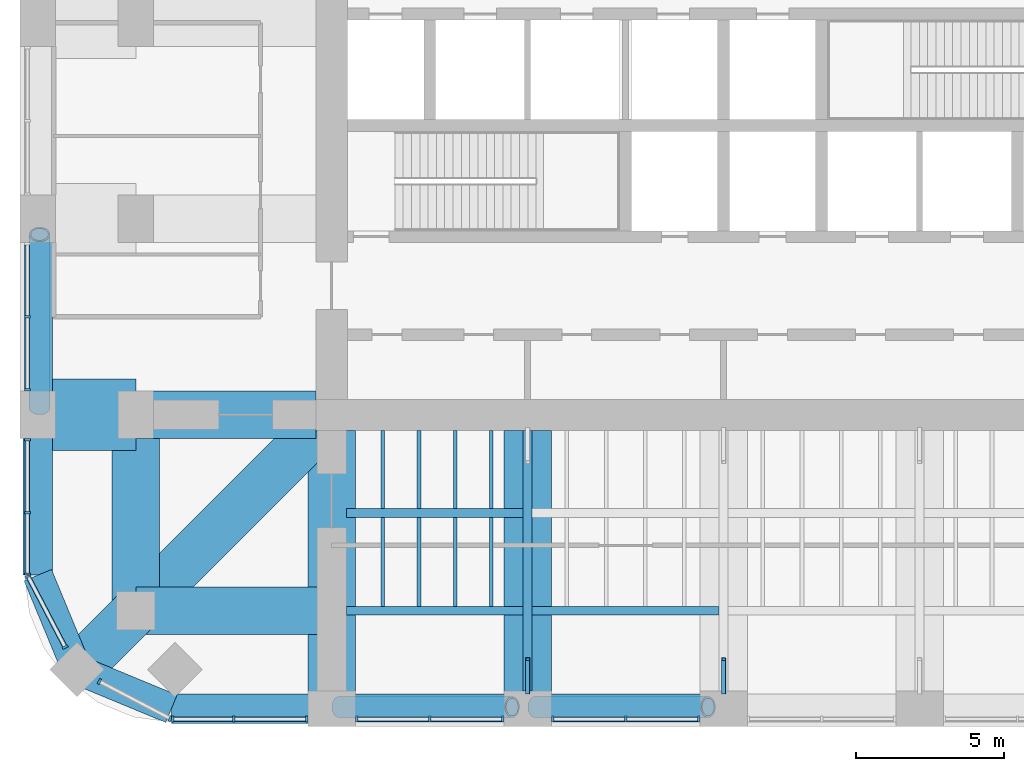
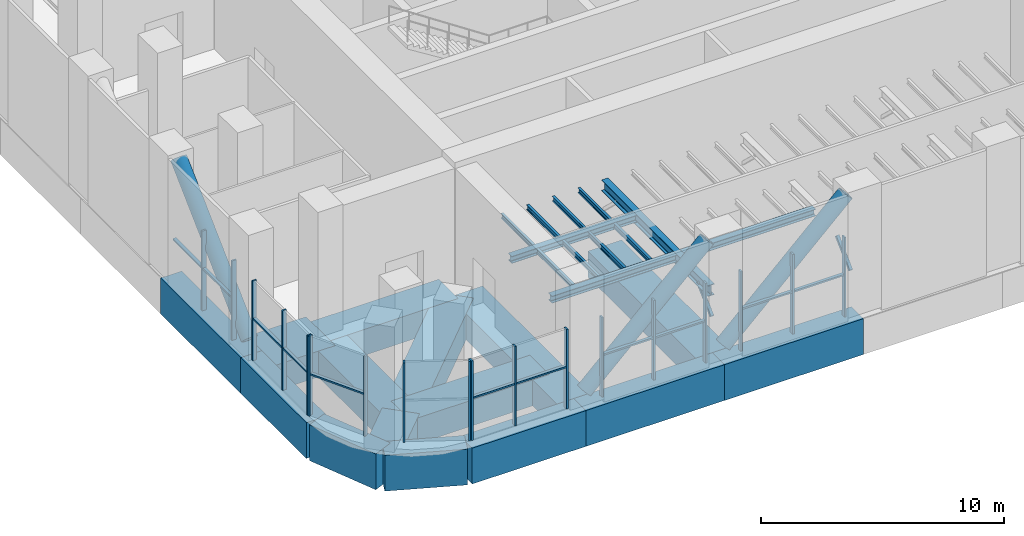
# One storey, part 2 of 15: 34 members, 27 beams, 7 elements without a shape of their own.
"""IFC4 building model written with IfcOpenShell, lengths in metres."""

from ifc_helpers import new_model, si_unit, direction, frame, origin, origin_2d, place, context, subcontext, project, spatial, rectangle, hollow_rectangle, hollow_circle, i_section, extrude, material, material_profile, profile_set, type_object, element, aggregate, save


model = new_model("IFC4")

# Units and contexts
model_context = context("Model", 3, precision=1e-05, world=origin(), true_north=direction((0.0, 1.0)))
body_context = subcontext(model_context, "Body", "Model", "MODEL_VIEW")
ifc_project = project(units=[si_unit("LENGTHUNIT", "METRE"), si_unit("AREAUNIT", "SQUARE_METRE"), si_unit("VOLUMEUNIT", "CUBIC_METRE"), si_unit("PLANEANGLEUNIT", "RADIAN"), si_unit("MASSUNIT", "GRAM", prefix="KILO")], contexts=[model_context])

# Site, building, storey
site_placement = place(None, origin())
site = spatial("IfcSite", under=ifc_project, at=site_placement, CompositionType="ELEMENT")
building_placement = place(site_placement, origin())
building = spatial("IfcBuilding", under=site, at=building_placement, Name="Cobogo Forest Laboratory Tower", CompositionType="ELEMENT")
storey_placement = place(building_placement, frame((0.0, 0.0, 222.89990234375)))
storey = spatial("IfcBuildingStorey", under=building, at=storey_placement, Name="L51", CompositionType="ELEMENT", Elevation=222.89990234375)

# Members
ifc_material_1 = material(Name="Steel S460NH", Category="steel")
ifc_material_profile_1 = material_profile(ifc_material_1, hollow_circle(Radius=0.35546875, WallThickness=0.06005859375, at=origin_2d()), Name="CHS 711x60")
ifc_profile_set_1 = profile_set([ifc_material_profile_1], Name="Steel S460NH")
member_type_1 = type_object("IfcMemberType", Name="Belt truss diagonal CHS 711x60", PredefinedType="BRACE", material=ifc_profile_set_1)
for number, where, z_axis, x_axis, name in (
    (1, (13.449951171875, 3.360107421875, 0.23876953125), (0.723363796511, 0.0, 0.690467101242), (0.0, 1.0, 0.0), "BT1 belt truss diagonal S01 L51"),
    (2, (20.050048828125, 3.360107421875, 0.23876953125), (0.723349354665, 0.0, 0.69048223084), (0.0, 1.0, 0.0), "BT1 belt truss diagonal S02 L51"),
    (3, (3.360107421875, 13.449951171875, 0.23876953125), (0.0, 0.723363796511, 0.690467101242), (-1.0, 0.0, 0.0), "BT1 belt truss diagonal W13 L51"),
):
    element("IfcMember", number, at=place(storey_placement, frame(where, z_axis=z_axis, x_axis=x_axis)), inside=storey, type_object=member_type_1, Name=name, PredefinedType="BRACE", context=body_context, shape_type="SweptSolid", body=[
        extrude(hollow_circle(Radius=0.35546875, WallThickness=0.06005859375, at=origin_2d()), origin(), (0.0, 0.0, 1.0), 8.0595703125),
    ])

# Curtain wall, members
ifc_material_2 = material(Name="Aluminium curtain wall", Category="aluminium")
curtain_wall_type = type_object("IfcCurtainWallType", Name="CW-P louvred curtain wall, plant floors", PredefinedType="USERDEFINED", material=ifc_material_2)
curtain_wall_1_placement = place(storey_placement, origin())
curtain_wall_1 = element("IfcCurtainWall", 4, at=curtain_wall_1_placement, inside=storey, type_object=curtain_wall_type, Name="Curtain wall 01 L51", ObjectType="LOUVRED CURTAIN WALL", PredefinedType="USERDEFINED")
ifc_material_3 = material(Name="Aluminium mullion", Category="aluminium")
ifc_material_profile_2 = material_profile(ifc_material_3, rectangle(XDim=0.080078125, YDim=0.199951171875, at=origin_2d()), Name="AL 80x200")
ifc_profile_set_2 = profile_set([ifc_material_profile_2], Name="Aluminium mullion")
member_type_2 = type_object("IfcMemberType", Name="MU-3 aluminium louvre mullion 80x200", PredefinedType="MULLION", material=ifc_profile_set_2)
member_1_placement = place(storey_placement, frame((7.840087890625, 2.949951171875, 0.0), z_axis=(0.0, 0.0, 1.0), x_axis=(1.0, 0.0, 0.0)))
member_1 = element("IfcMember", 5, at=member_1_placement, type_object=member_type_2, Name="CW-P mullion 1", PredefinedType="MULLION", context=body_context, shape_type="SweptSolid", body=[
    extrude(rectangle(XDim=0.080078125, YDim=0.199951171875, at=origin_2d()), origin(), (0.0, 0.0, 1.0), 4.0),
])
member_2_placement = place(storey_placement, frame((9.89990234375, 2.949951171875, 0.0), z_axis=(0.0, 0.0, 1.0), x_axis=(1.0, 0.0, 0.0)))
member_2 = element("IfcMember", 6, at=member_2_placement, type_object=member_type_2, Name="CW-P mullion 2", PredefinedType="MULLION", context=body_context, shape_type="SweptSolid", body=[
    extrude(rectangle(XDim=0.080078125, YDim=0.199951171875, at=origin_2d()), origin(), (0.0, 0.0, 1.0), 4.0),
])
member_3_placement = place(storey_placement, frame((12.360107421875, 2.949951171875, 0.0), z_axis=(0.0, 0.0, 1.0), x_axis=(1.0, 0.0, 0.0)))
member_3 = element("IfcMember", 7, at=member_3_placement, type_object=member_type_2, Name="CW-P mullion 3", PredefinedType="MULLION", context=body_context, shape_type="SweptSolid", body=[
    extrude(rectangle(XDim=0.080078125, YDim=0.199951171875, at=origin_2d()), origin(), (0.0, 0.0, 1.0), 4.0),
])

curtain_wall_2_placement = place(storey_placement, origin())
curtain_wall_2 = element("IfcCurtainWall", 8, at=curtain_wall_2_placement, inside=storey, type_object=curtain_wall_type, Name="Curtain wall 02 L51", ObjectType="LOUVRED CURTAIN WALL", PredefinedType="USERDEFINED")
member_4_placement = place(storey_placement, frame((14.0400390625, 2.949951171875, 0.0), z_axis=(0.0, 0.0, 1.0), x_axis=(1.0, 0.0, 0.0)))
member_4 = element("IfcMember", 9, at=member_4_placement, type_object=member_type_2, Name="CW-P mullion 1", PredefinedType="MULLION", context=body_context, shape_type="SweptSolid", body=[
    extrude(rectangle(XDim=0.080078125, YDim=0.199951171875, at=origin_2d()), origin(), (0.0, 0.0, 1.0), 4.0),
])
member_5_placement = place(storey_placement, frame((16.5, 2.949951171875, 0.0), z_axis=(0.0, 0.0, 1.0), x_axis=(1.0, 0.0, 0.0)))
member_5 = element("IfcMember", 10, at=member_5_placement, type_object=member_type_2, Name="CW-P mullion 2", PredefinedType="MULLION", context=body_context, shape_type="SweptSolid", body=[
    extrude(rectangle(XDim=0.080078125, YDim=0.199951171875, at=origin_2d()), origin(), (0.0, 0.0, 1.0), 4.0),
])
member_6_placement = place(storey_placement, frame((18.9599609375, 2.949951171875, 0.0), z_axis=(0.0, 0.0, 1.0), x_axis=(1.0, 0.0, 0.0)))
member_6 = element("IfcMember", 11, at=member_6_placement, type_object=member_type_2, Name="CW-P mullion 3", PredefinedType="MULLION", context=body_context, shape_type="SweptSolid", body=[
    extrude(rectangle(XDim=0.080078125, YDim=0.199951171875, at=origin_2d()), origin(), (0.0, 0.0, 1.0), 4.0),
])

curtain_wall_3_placement = place(storey_placement, origin())
curtain_wall_3 = element("IfcCurtainWall", 12, at=curtain_wall_3_placement, inside=storey, type_object=curtain_wall_type, Name="Curtain wall 03 L51", ObjectType="LOUVRED CURTAIN WALL", PredefinedType="USERDEFINED")
member_7_placement = place(storey_placement, frame((20.639892578125, 2.949951171875, 0.0), z_axis=(0.0, 0.0, 1.0), x_axis=(1.0, 0.0, 0.0)))
member_7 = element("IfcMember", 13, at=member_7_placement, type_object=member_type_2, Name="CW-P mullion 1", PredefinedType="MULLION", context=body_context, shape_type="SweptSolid", body=[
    extrude(rectangle(XDim=0.080078125, YDim=0.199951171875, at=origin_2d()), origin(), (0.0, 0.0, 1.0), 4.0),
])
member_8_placement = place(storey_placement, frame((23.10009765625, 2.949951171875, 0.0), z_axis=(0.0, 0.0, 1.0), x_axis=(1.0, 0.0, 0.0)))
member_8 = element("IfcMember", 14, at=member_8_placement, type_object=member_type_2, Name="CW-P mullion 2", PredefinedType="MULLION", context=body_context, shape_type="SweptSolid", body=[
    extrude(rectangle(XDim=0.080078125, YDim=0.199951171875, at=origin_2d()), origin(), (0.0, 0.0, 1.0), 4.0),
])
member_9_placement = place(storey_placement, frame((25.56005859375, 2.949951171875, 0.0), z_axis=(0.0, 0.0, 1.0), x_axis=(1.0, 0.0, 0.0)))
member_9 = element("IfcMember", 15, at=member_9_placement, type_object=member_type_2, Name="CW-P mullion 3", PredefinedType="MULLION", context=body_context, shape_type="SweptSolid", body=[
    extrude(rectangle(XDim=0.080078125, YDim=0.199951171875, at=origin_2d()), origin(), (0.0, 0.0, 1.0), 4.0),
])

curtain_wall_4_placement = place(storey_placement, origin())
curtain_wall_4 = element("IfcCurtainWall", 16, at=curtain_wall_4_placement, inside=storey, type_object=curtain_wall_type, Name="Curtain wall 27 L51", ObjectType="LOUVRED CURTAIN WALL", PredefinedType="USERDEFINED")
member_10_placement = place(storey_placement, frame((2.949951171875, 16.5, 0.0), z_axis=(0.0, 0.0, 1.0), x_axis=(0.0, -1.0, 0.0)))
member_10 = element("IfcMember", 17, at=member_10_placement, type_object=member_type_2, Name="CW-P mullion 2", PredefinedType="MULLION", context=body_context, shape_type="SweptSolid", body=[
    extrude(rectangle(XDim=0.080078125, YDim=0.199951171875, at=origin_2d()), origin(), (0.0, 0.0, 1.0), 4.0),
])
member_11_placement = place(storey_placement, frame((2.949951171875, 14.0400390625, 0.0), z_axis=(0.0, 0.0, 1.0), x_axis=(0.0, -1.0, 0.0)))
member_11 = element("IfcMember", 18, at=member_11_placement, type_object=member_type_2, Name="CW-P mullion 3", PredefinedType="MULLION", context=body_context, shape_type="SweptSolid", body=[
    extrude(rectangle(XDim=0.080078125, YDim=0.199951171875, at=origin_2d()), origin(), (0.0, 0.0, 1.0), 4.0),
])

curtain_wall_5_placement = place(storey_placement, origin())
curtain_wall_5 = element("IfcCurtainWall", 19, at=curtain_wall_5_placement, inside=storey, type_object=curtain_wall_type, Name="Curtain wall 28 L51", ObjectType="LOUVRED CURTAIN WALL", PredefinedType="USERDEFINED")
member_12_placement = place(storey_placement, frame((2.949951171875, 12.360107421875, 0.0), z_axis=(0.0, 0.0, 1.0), x_axis=(0.0, -1.0, 0.0)))
member_12 = element("IfcMember", 20, at=member_12_placement, type_object=member_type_2, Name="CW-P mullion 1", PredefinedType="MULLION", context=body_context, shape_type="SweptSolid", body=[
    extrude(rectangle(XDim=0.080078125, YDim=0.199951171875, at=origin_2d()), origin(), (0.0, 0.0, 1.0), 4.0),
])
member_13_placement = place(storey_placement, frame((2.949951171875, 9.89990234375, 0.0), z_axis=(0.0, 0.0, 1.0), x_axis=(0.0, -1.0, 0.0)))
member_13 = element("IfcMember", 21, at=member_13_placement, type_object=member_type_2, Name="CW-P mullion 2", PredefinedType="MULLION", context=body_context, shape_type="SweptSolid", body=[
    extrude(rectangle(XDim=0.080078125, YDim=0.199951171875, at=origin_2d()), origin(), (0.0, 0.0, 1.0), 4.0),
])
member_14_placement = place(storey_placement, frame((2.949951171875, 7.840087890625, 0.0), z_axis=(0.0, 0.0, 1.0), x_axis=(0.0, -1.0, 0.0)))
member_14 = element("IfcMember", 22, at=member_14_placement, type_object=member_type_2, Name="CW-P mullion 3", PredefinedType="MULLION", context=body_context, shape_type="SweptSolid", body=[
    extrude(rectangle(XDim=0.080078125, YDim=0.199951171875, at=origin_2d()), origin(), (0.0, 0.0, 1.0), 4.0),
])

curtain_wall_6_placement = place(storey_placement, origin())
curtain_wall_6 = element("IfcCurtainWall", 23, at=curtain_wall_6_placement, inside=storey, type_object=curtain_wall_type, Name="Curtain wall 29 L51", ObjectType="LOUVRED CURTAIN WALL", PredefinedType="USERDEFINED")
member_15_placement = place(storey_placement, frame((2.968505859375, 7.7646484375, 0.0), z_axis=(0.0, 0.0, 1.0), x_axis=(0.464283685186, -0.885686547075, 0.0)))
member_15 = element("IfcMember", 24, at=member_15_placement, type_object=member_type_2, Name="CW-P mullion 1", PredefinedType="MULLION", context=body_context, shape_type="SweptSolid", body=[
    extrude(rectangle(XDim=0.080078125, YDim=0.199951171875, at=origin_2d()), origin(), (0.0, 0.0, 1.0), 4.0),
])
member_16_placement = place(storey_placement, frame((4.219970703125, 5.377197265625, 0.0), z_axis=(0.0, 0.0, 1.0), x_axis=(0.464283685186, -0.885686547075, 0.0)))
member_16 = element("IfcMember", 25, at=member_16_placement, type_object=member_type_2, Name="CW-P mullion 2", PredefinedType="MULLION", context=body_context, shape_type="SweptSolid", body=[
    extrude(rectangle(XDim=0.080078125, YDim=0.199951171875, at=origin_2d()), origin(), (0.0, 0.0, 1.0), 4.0),
])

curtain_wall_7_placement = place(storey_placement, origin())
curtain_wall_7 = element("IfcCurtainWall", 26, at=curtain_wall_7_placement, inside=storey, type_object=curtain_wall_type, Name="Curtain wall 30 L51", ObjectType="LOUVRED CURTAIN WALL", PredefinedType="USERDEFINED")
member_17_placement = place(storey_placement, frame((5.377197265625, 4.219970703125, 0.0), z_axis=(0.0, 0.0, 1.0), x_axis=(0.885686547075, -0.464283685186, 0.0)))
member_17 = element("IfcMember", 27, at=member_17_placement, type_object=member_type_2, Name="CW-P mullion 1", PredefinedType="MULLION", context=body_context, shape_type="SweptSolid", body=[
    extrude(rectangle(XDim=0.080078125, YDim=0.199951171875, at=origin_2d()), origin(), (0.0, 0.0, 1.0), 4.0),
])
member_18_placement = place(storey_placement, frame((7.7646484375, 2.968505859375, 0.0), z_axis=(0.0, 0.0, 1.0), x_axis=(0.885686547075, -0.464283685186, 0.0)))
member_18 = element("IfcMember", 28, at=member_18_placement, type_object=member_type_2, Name="CW-P mullion 2", PredefinedType="MULLION", context=body_context, shape_type="SweptSolid", body=[
    extrude(rectangle(XDim=0.080078125, YDim=0.199951171875, at=origin_2d()), origin(), (0.0, 0.0, 1.0), 4.0),
])
aggregate(curtain_wall_7, [member_17, member_18])

# Beams
ifc_material_4 = material(Name="Concrete HA-40 (C40/50)", Category="concrete")
ifc_material_profile_3 = material_profile(ifc_material_4, rectangle(XDim=1.60009765625, YDim=1.300048828125, at=origin_2d()), Name="RC 1600x1300")
ifc_profile_set_3 = profile_set([ifc_material_profile_3], Name="Concrete HA-40 (C40/50)")
beam_type_1 = type_object("IfcBeamType", Name="Plant and roof garden wide beam 1600x1300", PredefinedType="BEAM", material=ifc_profile_set_3)
for number, where, z_axis, x_axis, name in (
    (29, (13.199951171875, 12.675048828125, -1.0), (0.0, -1.0, 0.0), (1.0, 0.0, 0.0), "RB4 R-3-S L51"),
    (30, (19.800048828125, 12.675048828125, -1.0), (0.0, -1.0, 0.0), (1.0, 0.0, 0.0), "RB4 R-4-S L51"),
):
    element("IfcBeam", number, at=place(storey_placement, frame(where, z_axis=z_axis, x_axis=x_axis)), inside=storey, type_object=beam_type_1, Name=name, PredefinedType="BEAM", context=body_context, shape_type="SweptSolid", body=[
        extrude(rectangle(XDim=1.60009765625, YDim=1.300048828125, at=origin_2d()), origin(), (0.0, 0.0, 1.0), 9.375),
    ])
beam_1_placement = place(storey_placement, frame((12.675048828125, 13.199951171875, -1.0), z_axis=(-1.0, 0.0, 0.0), x_axis=(0.0, -1.0, 0.0)))
element("IfcBeam", 31, at=beam_1_placement, inside=storey, type_object=beam_type_1, Name="RB4 R-C-W L51", PredefinedType="BEAM", context=body_context, shape_type="SweptSolid", body=[
    extrude(rectangle(XDim=1.60009765625, YDim=1.300048828125, at=origin_2d()), origin(), (0.0, 0.0, 1.0), 6.074951171875),
])
for number, where, z_axis, x_axis, name in (
    (32, (6.60009765625, 6.60009765625, -1.0), (0.0, 1.0, 0.0), (-1.0, 0.0, 0.0), "RB4 G-SW-XC L51"),
    (33, (6.60009765625, 6.60009765625, -1.0), (1.0, 0.0, 0.0), (0.0, 1.0, 0.0), "RB4 G-SW-YC L51"),
):
    element("IfcBeam", number, at=place(storey_placement, frame(where, z_axis=z_axis, x_axis=x_axis)), inside=storey, type_object=beam_type_1, Name=name, PredefinedType="BEAM", context=body_context, shape_type="SweptSolid", body=[
        extrude(rectangle(XDim=1.60009765625, YDim=1.300048828125, at=origin_2d()), origin(), (0.0, 0.0, 1.0), 6.599853515625),
    ])
beam_2_placement = place(storey_placement, frame((4.617919921875, 4.617919921875, -1.0), z_axis=(0.707106781187, 0.707106781187, 0.0), x_axis=(-0.707106781187, 0.707106781187, 0.0)))
element("IfcBeam", 34, at=beam_2_placement, inside=storey, type_object=beam_type_1, Name="RB4 G-SW-D1 L51", PredefinedType="BEAM", context=body_context, shape_type="SweptSolid", body=[
    extrude(rectangle(XDim=1.60009765625, YDim=1.300048828125, at=origin_2d()), origin(), (0.0, 0.0, 1.0), 2.80322265625),
])
beam_3_placement = place(storey_placement, frame((6.60009765625, 6.60009765625, -1.0), z_axis=(0.707106781187, 0.707106781187, 0.0), x_axis=(-0.707106781187, 0.707106781187, 0.0)))
element("IfcBeam", 35, at=beam_3_placement, inside=storey, type_object=beam_type_1, Name="RB4 G-SW-D2 L51", PredefinedType="BEAM", context=body_context, shape_type="SweptSolid", body=[
    extrude(rectangle(XDim=1.60009765625, YDim=1.300048828125, at=origin_2d()), origin(), (0.0, 0.0, 1.0), 8.59130859375),
])
ifc_material_5 = material(Name="Concrete HA-50 (C50/60)", Category="concrete")
ifc_material_profile_4 = material_profile(ifc_material_5, rectangle(XDim=2.39990234375, YDim=1.300048828125, at=origin_2d()), Name="RC 2400x1300")
ifc_profile_set_4 = profile_set([ifc_material_profile_4], Name="Concrete HA-50 (C50/60)")
beam_type_2 = type_object("IfcBeamType", Name="Plant floor end-bay beam 2400x1300", PredefinedType="BEAM", material=ifc_profile_set_4)
beam_4_placement = place(storey_placement, frame((3.300048828125, 13.199951171875, -1.0), z_axis=(1.0, 0.0, 0.0), x_axis=(0.0, 1.0, 0.0)))
element("IfcBeam", 36, at=beam_4_placement, inside=storey, type_object=beam_type_2, Name="RB6 R-C-W-X L51", PredefinedType="BEAM", context=body_context, shape_type="SweptSolid", body=[
    extrude(rectangle(XDim=2.39990234375, YDim=1.300048828125, at=origin_2d()), origin(), (0.0, 0.0, 1.0), 3.300048828125),
])
ifc_material_profile_5 = material_profile(ifc_material_4, rectangle(XDim=1.0, YDim=1.800048828125, at=origin_2d()), Name="RC 1000x1800")
ifc_profile_set_5 = profile_set([ifc_material_profile_5], Name="Concrete HA-40 (C40/50)")
beam_type_3 = type_object("IfcBeamType", Name="Plant floor perimeter girder 1000x1800", PredefinedType="BEAM", material=ifc_profile_set_5)
beam_5_placement = place(storey_placement, frame((13.199951171875, 3.300048828125, -1.25), z_axis=(1.0, 0.0, 0.0), x_axis=(0.0, 1.0, 0.0)))
element("IfcBeam", 37, at=beam_5_placement, inside=storey, type_object=beam_type_3, Name="TG1 E-S1 L51", PredefinedType="BEAM", context=body_context, shape_type="SweptSolid", body=[
    extrude(rectangle(XDim=1.0, YDim=1.800048828125, at=origin_2d()), origin(), (0.0, 0.0, 1.0), 6.60009765625),
])
beam_6_placement = place(storey_placement, frame((19.800048828125, 3.300048828125, -1.25), z_axis=(1.0, 0.0, 0.0), x_axis=(0.0, 1.0, 0.0)))
element("IfcBeam", 38, at=beam_6_placement, inside=storey, type_object=beam_type_3, Name="TG1 E-S2 L51", PredefinedType="BEAM", context=body_context, shape_type="SweptSolid", body=[
    extrude(rectangle(XDim=1.0, YDim=1.800048828125, at=origin_2d()), origin(), (0.0, 0.0, 1.0), 6.599853515625),
])
beam_7_placement = place(storey_placement, frame((3.300048828125, 13.199951171875, -1.25), z_axis=(0.0, 1.0, 0.0), x_axis=(-1.0, 0.0, 0.0)))
element("IfcBeam", 39, at=beam_7_placement, inside=storey, type_object=beam_type_3, Name="TG1 E-W1 L51", PredefinedType="BEAM", context=body_context, shape_type="SweptSolid", body=[
    extrude(rectangle(XDim=1.0, YDim=1.800048828125, at=origin_2d()), origin(), (0.0, 0.0, 1.0), 6.60009765625),
])
beam_8_placement = place(storey_placement, frame((13.199951171875, 3.300048828125, -1.25), z_axis=(-1.0, 0.0, 0.0), x_axis=(0.0, -1.0, 0.0)))
element("IfcBeam", 40, at=beam_8_placement, inside=storey, type_object=beam_type_3, Name="TG1 E-SWS1 L51", PredefinedType="BEAM", context=body_context, shape_type="SweptSolid", body=[
    extrude(rectangle(XDim=1.0, YDim=1.800048828125, at=origin_2d()), origin(), (0.0, 0.0, 1.0), 5.39990234375),
])
beam_9_placement = place(storey_placement, frame((7.800048828125, 3.300048828125, -1.25), z_axis=(-0.923901072997, 0.382631424892, 0.0), x_axis=(-0.382631424892, -0.923901072997, 0.0)))
element("IfcBeam", 41, at=beam_9_placement, inside=storey, type_object=beam_type_3, Name="TG1 E-SWS2 L51", PredefinedType="BEAM", context=body_context, shape_type="SweptSolid", body=[
    extrude(rectangle(XDim=1.0, YDim=1.800048828125, at=origin_2d()), origin(), (0.0, 0.0, 1.0), 3.4443359375),
])
beam_10_placement = place(storey_placement, frame((3.300048828125, 13.199951171875, -1.25), z_axis=(0.0, -1.0, 0.0), x_axis=(1.0, 0.0, 0.0)))
element("IfcBeam", 42, at=beam_10_placement, inside=storey, type_object=beam_type_3, Name="TG1 E-SWW1 L51", PredefinedType="BEAM", context=body_context, shape_type="SweptSolid", body=[
    extrude(rectangle(XDim=1.0, YDim=1.800048828125, at=origin_2d()), origin(), (0.0, 0.0, 1.0), 5.39990234375),
])
beam_11_placement = place(storey_placement, frame((3.300048828125, 7.800048828125, -1.25), z_axis=(0.382631424892, -0.923901072997, 0.0), x_axis=(0.923901072997, 0.382631424892, 0.0)))
element("IfcBeam", 43, at=beam_11_placement, inside=storey, type_object=beam_type_3, Name="TG1 E-SWW2 L51", PredefinedType="BEAM", context=body_context, shape_type="SweptSolid", body=[
    extrude(rectangle(XDim=1.0, YDim=1.800048828125, at=origin_2d()), origin(), (0.0, 0.0, 1.0), 3.4443359375),
])

# Members
ifc_material_6 = material(Name="Steel S355", Category="steel")
ifc_material_profile_6 = material_profile(ifc_material_6, hollow_rectangle(XDim=0.14990234375, YDim=0.14990234375, WallThickness=0.008056640625, InnerFilletRadius=0.008056640625, OuterFilletRadius=0.011962890625, at=origin_2d()), Name="SHS 150x8")
ifc_profile_set_6 = profile_set([ifc_material_profile_6], Name="Steel S355")
member_type_3 = type_object("IfcMemberType", Name="Plant knee brace SHS 150x8", PredefinedType="BRACE", material=ifc_profile_set_6)
for number, where, z_axis, x_axis, name in (
    (44, (19.800048828125, 3.846923828125, 1.4501953125), (0.0, 0.725172744362, 0.68856698355), (-1.0, 0.0, 0.0), "PX2 AHU-S knee brace 4-1 L51"),
    (45, (26.39990234375, 3.846923828125, 1.4501953125), (0.0, 0.725172744362, 0.68856698355), (-1.0, 0.0, 0.0), "PX2 AHU-S knee brace 5-1 L51"),
):
    element("IfcMember", number, at=place(storey_placement, frame(where, z_axis=z_axis, x_axis=x_axis)), inside=storey, type_object=member_type_3, Name=name, PredefinedType="BRACE", context=body_context, shape_type="SweptSolid", body=[
        extrude(hollow_rectangle(XDim=0.14990234375, YDim=0.14990234375, WallThickness=0.008056640625, InnerFilletRadius=0.008056640625, OuterFilletRadius=0.011962890625, at=origin_2d()), origin(), (0.0, 0.0, 1.0), 1.54736328125),
    ])

# Beams
ifc_material_profile_7 = material_profile(ifc_material_6, i_section(OverallWidth=0.300048828125, OverallDepth=0.35009765625, WebThickness=0.010009765625, FlangeThickness=0.017578125, FilletRadius=0.027099609375, at=origin_2d()), Name="HEA 360")
ifc_profile_set_7 = profile_set([ifc_material_profile_7], Name="Steel S355")
beam_type_4 = type_object("IfcBeamType", Name="Plant platform beam HEA 360", PredefinedType="BEAM", material=ifc_profile_set_7)
beam_12_placement = place(storey_placement, frame((13.699951171875, 6.60009765625, 2.8251953125), z_axis=(1.0, 0.0, 0.0), x_axis=(0.0, 1.0, 0.0)))
element("IfcBeam", 46, at=beam_12_placement, inside=storey, type_object=beam_type_4, Name="PB3 AHU-S platform beam 1 at 3300 L51", PredefinedType="BEAM", context=body_context, shape_type="SweptSolid", body=[
    extrude(i_section(OverallWidth=0.300048828125, OverallDepth=0.35009765625, WebThickness=0.010009765625, FlangeThickness=0.017578125, FilletRadius=0.027099609375, at=origin_2d()), origin(), (0.0, 0.0, 1.0), 5.949951171875),
])
beam_13_placement = place(storey_placement, frame((19.949951171875, 6.60009765625, 2.8251953125), z_axis=(1.0, 0.0, 0.0), x_axis=(0.0, 1.0, 0.0)))
element("IfcBeam", 47, at=beam_13_placement, inside=storey, type_object=beam_type_4, Name="PB3 AHU-S platform beam 2 at 3300 L51", PredefinedType="BEAM", context=body_context, shape_type="SweptSolid", body=[
    extrude(i_section(OverallWidth=0.300048828125, OverallDepth=0.35009765625, WebThickness=0.010009765625, FlangeThickness=0.017578125, FilletRadius=0.027099609375, at=origin_2d()), origin(), (0.0, 0.0, 1.0), 6.300048828125),
])
beam_14_placement = place(storey_placement, frame((13.699951171875, 9.89990234375, 2.8251953125), z_axis=(1.0, 0.0, 0.0), x_axis=(0.0, 1.0, 0.0)))
element("IfcBeam", 48, at=beam_14_placement, inside=storey, type_object=beam_type_4, Name="PB3 AHU-S platform beam 1 at 6600 L51", PredefinedType="BEAM", context=body_context, shape_type="SweptSolid", body=[
    extrude(i_section(OverallWidth=0.300048828125, OverallDepth=0.35009765625, WebThickness=0.010009765625, FlangeThickness=0.017578125, FilletRadius=0.027099609375, at=origin_2d()), origin(), (0.0, 0.0, 1.0), 5.949951171875),
])
ifc_material_profile_8 = material_profile(ifc_material_6, i_section(OverallWidth=0.300048828125, OverallDepth=0.550048828125, WebThickness=0.014892578125, FlangeThickness=0.029052734375, FilletRadius=0.027099609375, at=origin_2d()), Name="HEB 550")
ifc_profile_set_8 = profile_set([ifc_material_profile_8], Name="Steel S355")
beam_type_5 = type_object("IfcBeamType", Name="Plant platform girder HEB 550", PredefinedType="BEAM", material=ifc_profile_set_8)
beam_15_placement = place(storey_placement, frame((19.800048828125, 3.89990234375, 2.72509765625), z_axis=(0.0, 1.0, 0.0), x_axis=(-1.0, 0.0, 0.0)))
element("IfcBeam", 49, at=beam_15_placement, inside=storey, type_object=beam_type_5, Name="PG2 AHU-S girder 4 L51", PredefinedType="BEAM", context=body_context, shape_type="SweptSolid", body=[
    extrude(i_section(OverallWidth=0.300048828125, OverallDepth=0.550048828125, WebThickness=0.014892578125, FlangeThickness=0.029052734375, FilletRadius=0.027099609375, at=origin_2d()), origin(), (0.0, 0.0, 1.0), 8.775146484375),
])
ifc_material_profile_9 = material_profile(ifc_material_6, i_section(OverallWidth=0.1201171875, OverallDepth=0.239990234375, WebThickness=0.006103515625, FlangeThickness=0.009765625, FilletRadius=0.014892578125, at=origin_2d()), Name="IPE 240")
ifc_profile_set_9 = profile_set([ifc_material_profile_9], Name="Steel S355")
beam_type_6 = type_object("IfcBeamType", Name="Plant platform joist IPE 240", PredefinedType="JOIST", material=ifc_profile_set_9)
beam_16_placement = place(storey_placement, frame((14.919921875, 6.75, 2.880126953125), z_axis=(0.0, 1.0, 0.0), x_axis=(-1.0, 0.0, 0.0)))
element("IfcBeam", 50, at=beam_16_placement, inside=storey, type_object=beam_type_6, Name="PJ1 AHU-S joist 1.1 row 1 L51", PredefinedType="JOIST", context=body_context, shape_type="SweptSolid", body=[
    extrude(i_section(OverallWidth=0.1201171875, OverallDepth=0.239990234375, WebThickness=0.006103515625, FlangeThickness=0.009765625, FilletRadius=0.014892578125, at=origin_2d()), origin(), (0.0, 0.0, 1.0), 3.0),
])
beam_17_placement = place(storey_placement, frame((14.919921875, 10.050048828125, 2.880126953125), z_axis=(0.0, 1.0, 0.0), x_axis=(-1.0, 0.0, 0.0)))
element("IfcBeam", 51, at=beam_17_placement, inside=storey, type_object=beam_type_6, Name="PJ1 AHU-S joist 1.1 row 2 L51", PredefinedType="JOIST", context=body_context, shape_type="SweptSolid", body=[
    extrude(i_section(OverallWidth=0.1201171875, OverallDepth=0.239990234375, WebThickness=0.006103515625, FlangeThickness=0.009765625, FilletRadius=0.014892578125, at=origin_2d()), origin(), (0.0, 0.0, 1.0), 2.625),
])
beam_18_placement = place(storey_placement, frame((16.139892578125, 6.75, 2.880126953125), z_axis=(0.0, 1.0, 0.0), x_axis=(-1.0, 0.0, 0.0)))
element("IfcBeam", 52, at=beam_18_placement, inside=storey, type_object=beam_type_6, Name="PJ1 AHU-S joist 1.2 row 1 L51", PredefinedType="JOIST", context=body_context, shape_type="SweptSolid", body=[
    extrude(i_section(OverallWidth=0.1201171875, OverallDepth=0.239990234375, WebThickness=0.006103515625, FlangeThickness=0.009765625, FilletRadius=0.014892578125, at=origin_2d()), origin(), (0.0, 0.0, 1.0), 3.0),
])
beam_19_placement = place(storey_placement, frame((16.139892578125, 10.050048828125, 2.880126953125), z_axis=(0.0, 1.0, 0.0), x_axis=(-1.0, 0.0, 0.0)))
element("IfcBeam", 53, at=beam_19_placement, inside=storey, type_object=beam_type_6, Name="PJ1 AHU-S joist 1.2 row 2 L51", PredefinedType="JOIST", context=body_context, shape_type="SweptSolid", body=[
    extrude(i_section(OverallWidth=0.1201171875, OverallDepth=0.239990234375, WebThickness=0.006103515625, FlangeThickness=0.009765625, FilletRadius=0.014892578125, at=origin_2d()), origin(), (0.0, 0.0, 1.0), 2.625),
])
beam_20_placement = place(storey_placement, frame((17.360107421875, 6.75, 2.880126953125), z_axis=(0.0, 1.0, 0.0), x_axis=(-1.0, 0.0, 0.0)))
element("IfcBeam", 54, at=beam_20_placement, inside=storey, type_object=beam_type_6, Name="PJ1 AHU-S joist 1.3 row 1 L51", PredefinedType="JOIST", context=body_context, shape_type="SweptSolid", body=[
    extrude(i_section(OverallWidth=0.1201171875, OverallDepth=0.239990234375, WebThickness=0.006103515625, FlangeThickness=0.009765625, FilletRadius=0.014892578125, at=origin_2d()), origin(), (0.0, 0.0, 1.0), 3.0),
])
beam_21_placement = place(storey_placement, frame((17.360107421875, 10.050048828125, 2.880126953125), z_axis=(0.0, 1.0, 0.0), x_axis=(-1.0, 0.0, 0.0)))
element("IfcBeam", 55, at=beam_21_placement, inside=storey, type_object=beam_type_6, Name="PJ1 AHU-S joist 1.3 row 2 L51", PredefinedType="JOIST", context=body_context, shape_type="SweptSolid", body=[
    extrude(i_section(OverallWidth=0.1201171875, OverallDepth=0.239990234375, WebThickness=0.006103515625, FlangeThickness=0.009765625, FilletRadius=0.014892578125, at=origin_2d()), origin(), (0.0, 0.0, 1.0), 2.625),
])
beam_22_placement = place(storey_placement, frame((18.580078125, 6.75, 2.880126953125), z_axis=(0.0, 1.0, 0.0), x_axis=(-1.0, 0.0, 0.0)))
element("IfcBeam", 56, at=beam_22_placement, inside=storey, type_object=beam_type_6, Name="PJ1 AHU-S joist 1.4 row 1 L51", PredefinedType="JOIST", context=body_context, shape_type="SweptSolid", body=[
    extrude(i_section(OverallWidth=0.1201171875, OverallDepth=0.239990234375, WebThickness=0.006103515625, FlangeThickness=0.009765625, FilletRadius=0.014892578125, at=origin_2d()), origin(), (0.0, 0.0, 1.0), 3.0),
])
beam_23_placement = place(storey_placement, frame((18.580078125, 10.050048828125, 2.880126953125), z_axis=(0.0, 1.0, 0.0), x_axis=(-1.0, 0.0, 0.0)))
element("IfcBeam", 57, at=beam_23_placement, inside=storey, type_object=beam_type_6, Name="PJ1 AHU-S joist 1.4 row 2 L51", PredefinedType="JOIST", context=body_context, shape_type="SweptSolid", body=[
    extrude(i_section(OverallWidth=0.1201171875, OverallDepth=0.239990234375, WebThickness=0.006103515625, FlangeThickness=0.009765625, FilletRadius=0.014892578125, at=origin_2d()), origin(), (0.0, 0.0, 1.0), 2.625),
])

# Member
ifc_material_7 = material(Name="Aluminium transom", Category="aluminium")
ifc_material_profile_10 = material_profile(ifc_material_7, rectangle(XDim=0.14990234375, YDim=0.080078125, at=origin_2d()), Name="AL 80x150")
ifc_profile_set_10 = profile_set([ifc_material_profile_10], Name="Aluminium transom")
member_type_4 = type_object("IfcMemberType", Name="TR-2 aluminium louvre transom 80x150", PredefinedType="USERDEFINED", material=ifc_profile_set_10)
member_19_placement = place(storey_placement, frame((7.8798828125, 2.949951171875, 2.10009765625), z_axis=(1.0, 0.0, 0.0), x_axis=(0.0, 1.0, 0.0)))
member_19 = element("IfcMember", 58, at=member_19_placement, type_object=member_type_4, Name="CW-P transom 1.1", ObjectType="TRANSOM", PredefinedType="USERDEFINED", context=body_context, shape_type="SweptSolid", body=[
    extrude(rectangle(XDim=0.14990234375, YDim=0.080078125, at=origin_2d()), origin(), (0.0, 0.0, 1.0), 1.980224609375),
])

member_20_placement = place(storey_placement, frame((9.93994140625, 2.949951171875, 2.10009765625), z_axis=(1.0, 0.0, 0.0), x_axis=(0.0, 1.0, 0.0)))
member_20 = element("IfcMember", 59, at=member_20_placement, type_object=member_type_4, Name="CW-P transom 2.1", ObjectType="TRANSOM", PredefinedType="USERDEFINED", context=body_context, shape_type="SweptSolid", body=[
    extrude(rectangle(XDim=0.14990234375, YDim=0.080078125, at=origin_2d()), origin(), (0.0, 0.0, 1.0), 2.380126953125),
])

aggregate(curtain_wall_1, [member_1, member_2, member_3, member_19, member_20])

member_21_placement = place(storey_placement, frame((14.080078125, 2.949951171875, 2.10009765625), z_axis=(1.0, 0.0, 0.0), x_axis=(0.0, 1.0, 0.0)))
member_21 = element("IfcMember", 60, at=member_21_placement, type_object=member_type_4, Name="CW-P transom 1.1", ObjectType="TRANSOM", PredefinedType="USERDEFINED", context=body_context, shape_type="SweptSolid", body=[
    extrude(rectangle(XDim=0.14990234375, YDim=0.080078125, at=origin_2d()), origin(), (0.0, 0.0, 1.0), 2.3798828125),
])

member_22_placement = place(storey_placement, frame((16.5400390625, 2.949951171875, 2.10009765625), z_axis=(1.0, 0.0, 0.0), x_axis=(0.0, 1.0, 0.0)))
member_22 = element("IfcMember", 61, at=member_22_placement, type_object=member_type_4, Name="CW-P transom 2.1", ObjectType="TRANSOM", PredefinedType="USERDEFINED", context=body_context, shape_type="SweptSolid", body=[
    extrude(rectangle(XDim=0.14990234375, YDim=0.080078125, at=origin_2d()), origin(), (0.0, 0.0, 1.0), 2.3798828125),
])

aggregate(curtain_wall_2, [member_4, member_5, member_6, member_21, member_22])

member_23_placement = place(storey_placement, frame((20.679931640625, 2.949951171875, 2.10009765625), z_axis=(1.0, 0.0, 0.0), x_axis=(0.0, 1.0, 0.0)))
member_23 = element("IfcMember", 62, at=member_23_placement, type_object=member_type_4, Name="CW-P transom 1.1", ObjectType="TRANSOM", PredefinedType="USERDEFINED", context=body_context, shape_type="SweptSolid", body=[
    extrude(rectangle(XDim=0.14990234375, YDim=0.080078125, at=origin_2d()), origin(), (0.0, 0.0, 1.0), 2.380126953125),
])

member_24_placement = place(storey_placement, frame((23.139892578125, 2.949951171875, 2.10009765625), z_axis=(1.0, 0.0, 0.0), x_axis=(0.0, 1.0, 0.0)))
member_24 = element("IfcMember", 63, at=member_24_placement, type_object=member_type_4, Name="CW-P transom 2.1", ObjectType="TRANSOM", PredefinedType="USERDEFINED", context=body_context, shape_type="SweptSolid", body=[
    extrude(rectangle(XDim=0.14990234375, YDim=0.080078125, at=origin_2d()), origin(), (0.0, 0.0, 1.0), 2.380126953125),
])

aggregate(curtain_wall_3, [member_7, member_8, member_9, member_23, member_24])

member_25_placement = place(storey_placement, frame((2.949951171875, 18.919921875, 2.10009765625), z_axis=(0.0, -1.0, 0.0), x_axis=(1.0, 0.0, 0.0)))
member_25 = element("IfcMember", 64, at=member_25_placement, type_object=member_type_4, Name="CW-P transom 1.1", ObjectType="TRANSOM", PredefinedType="USERDEFINED", context=body_context, shape_type="SweptSolid", body=[
    extrude(rectangle(XDim=0.14990234375, YDim=0.080078125, at=origin_2d()), origin(), (0.0, 0.0, 1.0), 2.3798828125),
])

member_26_placement = place(storey_placement, frame((2.949951171875, 16.4599609375, 2.10009765625), z_axis=(0.0, -1.0, 0.0), x_axis=(1.0, 0.0, 0.0)))
member_26 = element("IfcMember", 65, at=member_26_placement, type_object=member_type_4, Name="CW-P transom 2.1", ObjectType="TRANSOM", PredefinedType="USERDEFINED", context=body_context, shape_type="SweptSolid", body=[
    extrude(rectangle(XDim=0.14990234375, YDim=0.080078125, at=origin_2d()), origin(), (0.0, 0.0, 1.0), 2.3798828125),
])

aggregate(curtain_wall_4, [member_10, member_11, member_25, member_26])

member_27_placement = place(storey_placement, frame((2.949951171875, 12.320068359375, 2.10009765625), z_axis=(0.0, -1.0, 0.0), x_axis=(1.0, 0.0, 0.0)))
member_27 = element("IfcMember", 66, at=member_27_placement, type_object=member_type_4, Name="CW-P transom 1.1", ObjectType="TRANSOM", PredefinedType="USERDEFINED", context=body_context, shape_type="SweptSolid", body=[
    extrude(rectangle(XDim=0.14990234375, YDim=0.080078125, at=origin_2d()), origin(), (0.0, 0.0, 1.0), 2.380126953125),
])

member_28_placement = place(storey_placement, frame((2.949951171875, 9.860107421875, 2.10009765625), z_axis=(0.0, -1.0, 0.0), x_axis=(1.0, 0.0, 0.0)))
member_28 = element("IfcMember", 67, at=member_28_placement, type_object=member_type_4, Name="CW-P transom 2.1", ObjectType="TRANSOM", PredefinedType="USERDEFINED", context=body_context, shape_type="SweptSolid", body=[
    extrude(rectangle(XDim=0.14990234375, YDim=0.080078125, at=origin_2d()), origin(), (0.0, 0.0, 1.0), 1.980224609375),
])

aggregate(curtain_wall_5, [member_12, member_13, member_14, member_27, member_28])

member_29_placement = place(storey_placement, frame((2.987060546875, 7.729248046875, 2.10009765625), z_axis=(0.464268556366, -0.885694477554, 0.0), x_axis=(0.885694477554, 0.464268556366, 0.0)))
member_29 = element("IfcMember", 68, at=member_29_placement, type_object=member_type_4, Name="CW-P transom 1.1", ObjectType="TRANSOM", PredefinedType="USERDEFINED", context=body_context, shape_type="SweptSolid", body=[
    extrude(rectangle(XDim=0.14990234375, YDim=0.080078125, at=origin_2d()), origin(), (0.0, 0.0, 1.0), 2.61572265625),
])

aggregate(curtain_wall_6, [member_15, member_16, member_29])

save(model, "model.ifc")
